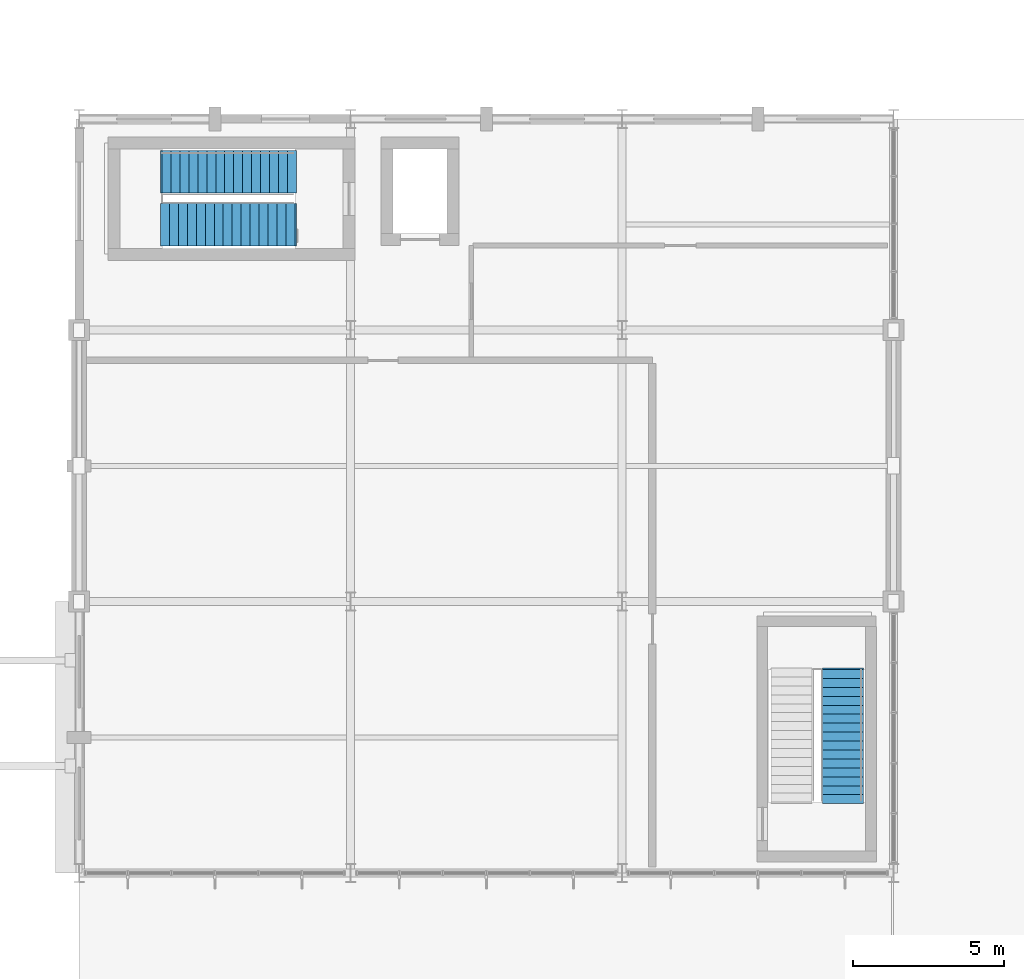
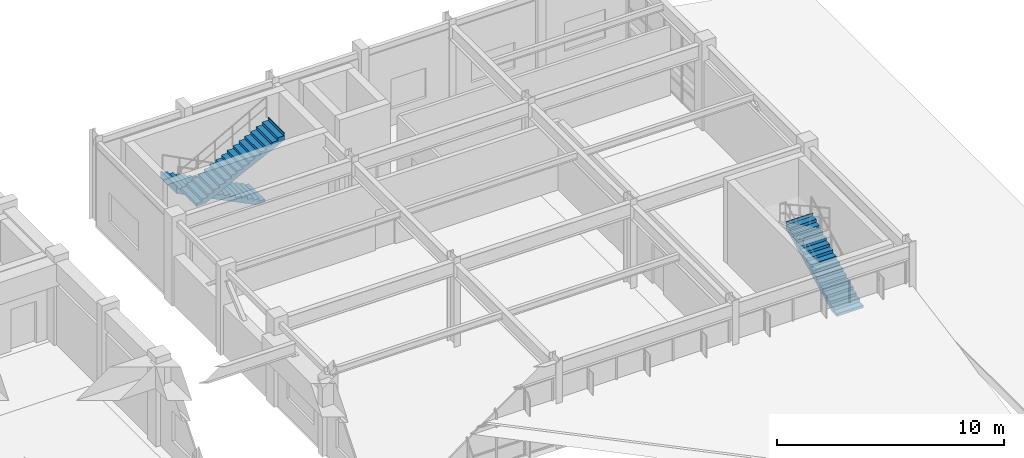
# One storey, part 88 of 104: 3 stair flights, 2 elements without a shape of their own.
"""IFC4 building model written with IfcOpenShell, lengths in metres."""

from ifc_helpers import new_model, si_unit, direction, frame, origin, place, context, subcontext, project, spatial, polyline, outline, extrude, material, type_object, element, aggregate, save


model = new_model("IFC4")

# Units and contexts
model_context = context("Model", 3, precision=1e-05, world=origin(), true_north=direction((0.0, 1.0)))
body_context = subcontext(model_context, "Body", "Model", "MODEL_VIEW")
ifc_project = project(units=[si_unit("LENGTHUNIT", "METRE"), si_unit("AREAUNIT", "SQUARE_METRE"), si_unit("VOLUMEUNIT", "CUBIC_METRE"), si_unit("PLANEANGLEUNIT", "RADIAN"), si_unit("MASSUNIT", "GRAM", prefix="KILO")], contexts=[model_context])

# Site, building, storey
site_placement = place(None, origin())
site = spatial("IfcSite", under=ifc_project, at=site_placement, CompositionType="ELEMENT")
building_placement = place(site_placement, origin())
building = spatial("IfcBuilding", under=site, at=building_placement, Name="Ventoquebrada Cableway Terminal", CompositionType="ELEMENT")
storey_placement = place(building_placement, frame((0.0, 0.0, 4.800048828125)))
storey = spatial("IfcBuildingStorey", under=building, at=storey_placement, Name="L01", CompositionType="ELEMENT", Elevation=4.800048828125)

# Stair, stair flights
ifc_material = material(Name="Concrete C40/50", Category="concrete")
stair_type_1 = type_object("IfcStairType", Name="ST-T09", PredefinedType="HALF_TURN_STAIR", material=ifc_material)
stair_1_placement = place(storey_placement, origin())
stair_1 = element("IfcStair", 1, at=stair_1_placement, inside=storey, type_object=stair_type_1, Name="Protected half-turn stair ST-30", PredefinedType="HALF_TURN_STAIR")
stair_flight_type_1 = type_object("IfcStairFlightType", Name="SF-T09", PredefinedType="STRAIGHT", material=ifc_material)
stair_flight_1_placement = place(storey_placement, frame((136.199951171875, 100.25, 0.0), z_axis=(0.0, 0.0, 1.0), x_axis=(-1.0, 0.0, 0.0)))
stair_flight_1 = element("IfcStairFlight", 2, at=stair_flight_1_placement, type_object=stair_flight_type_1, Name="Lower stair flight SF-059", NumberOfRisers=16, NumberOfTreads=15, PredefinedType="STRAIGHT", RiserHeight=0.15, TreadLength=0.3, context=body_context, shape_type="SweptSolid", body=[
    extrude(outline(polyline([(0.0, 0.0), (0.0, 0.14990234375), (0.296630859375, 0.14990234375), (0.296630859375, 0.300048828125), (0.59326171875, 0.300048828125), (0.59326171875, 0.449951171875), (0.889892578125, 0.449951171875), (0.889892578125, 0.60009765625), (1.186767578125, 0.60009765625), (1.186767578125, 0.75), (1.4833984375, 0.75), (1.4833984375, 0.89990234375), (1.780029296875, 0.89990234375), (1.780029296875, 1.050048828125), (2.07666015625, 1.050048828125), (2.07666015625, 1.199951171875), (2.373291015625, 1.199951171875), (2.373291015625, 1.35009765625), (2.669921875, 1.35009765625), (2.669921875, 1.5), (2.966552734375, 1.5), (2.966552734375, 1.64990234375), (3.263427734375, 1.64990234375), (3.263427734375, 1.800048828125), (3.56005859375, 1.800048828125), (3.56005859375, 1.949951171875), (3.856689453125, 1.949951171875), (3.856689453125, 2.10009765625), (4.1533203125, 2.10009765625), (4.1533203125, 2.25), (4.449951171875, 2.25), (4.449951171875, 2.39990234375), (4.5, 2.39990234375), (4.5, 2.0263671875), (0.447021484375, 0.0), (0.0, 0.0)])), frame((0.0, 0.699951171875, 0.0), z_axis=(0.0, -1.0, 0.0), x_axis=(1.0, 0.0, 0.0)), (0.0, 0.0, 1.0), 1.39990234375),
])
stair_flight_2_placement = place(storey_placement, frame((131.699951171875, 98.489990234375, 2.39990234375), z_axis=(0.0, 0.0, 1.0), x_axis=(1.0, 0.0, 0.0)))
stair_flight_2 = element("IfcStairFlight", 3, at=stair_flight_2_placement, type_object=stair_flight_type_1, Name="Upper stair flight SF-060", NumberOfRisers=16, NumberOfTreads=15, PredefinedType="STRAIGHT", RiserHeight=0.15, TreadLength=0.3, context=body_context, shape_type="SweptSolid", body=[
    extrude(outline(polyline([(0.0, 0.0), (0.0, 0.14990234375), (0.296630859375, 0.14990234375), (0.296630859375, 0.300048828125), (0.59326171875, 0.300048828125), (0.59326171875, 0.449951171875), (0.889892578125, 0.449951171875), (0.889892578125, 0.60009765625), (1.186767578125, 0.60009765625), (1.186767578125, 0.75), (1.4833984375, 0.75), (1.4833984375, 0.89990234375), (1.780029296875, 0.89990234375), (1.780029296875, 1.050048828125), (2.07666015625, 1.050048828125), (2.07666015625, 1.199951171875), (2.373291015625, 1.199951171875), (2.373291015625, 1.35009765625), (2.669921875, 1.35009765625), (2.669921875, 1.5), (2.966552734375, 1.5), (2.966552734375, 1.64990234375), (3.263427734375, 1.64990234375), (3.263427734375, 1.800048828125), (3.56005859375, 1.800048828125), (3.56005859375, 1.949951171875), (3.856689453125, 1.949951171875), (3.856689453125, 2.10009765625), (4.1533203125, 2.10009765625), (4.1533203125, 2.25), (4.449951171875, 2.25), (4.449951171875, 2.39990234375), (4.5, 2.39990234375), (4.5, 2.0263671875), (0.447021484375, 0.0), (0.0, 0.0)])), frame((0.0, 0.699951171875, 0.0), z_axis=(0.0, -1.0, 0.0), x_axis=(1.0, 0.0, 0.0)), (0.0, 0.0, 1.0), 1.39990234375),
])
aggregate(stair_1, [stair_flight_1, stair_flight_2])

# Stair, stair flight
stair_type_2 = type_object("IfcStairType", Name="ST-T10", PredefinedType="HALF_TURN_STAIR", material=ifc_material)
stair_2_placement = place(storey_placement, origin())
stair_2 = element("IfcStair", 4, at=stair_2_placement, inside=storey, type_object=stair_type_2, Name="Protected half-turn stair ST-31", PredefinedType="HALF_TURN_STAIR")
stair_flight_type_2 = type_object("IfcStairFlightType", Name="SF-T10", PredefinedType="STRAIGHT", material=ifc_material)
stair_flight_3_placement = place(storey_placement, frame((154.324951171875, 79.300048828125, 0.0), z_axis=(0.0, 0.0, 1.0), x_axis=(0.0, 1.0, 0.0)))
stair_flight_3 = element("IfcStairFlight", 5, at=stair_flight_3_placement, type_object=stair_flight_type_2, Name="Lower stair flight SF-061", NumberOfRisers=16, NumberOfTreads=15, PredefinedType="STRAIGHT", RiserHeight=0.15, TreadLength=0.3, context=body_context, shape_type="SweptSolid", body=[
    extrude(outline(polyline([(0.0, 0.0), (0.0, 0.14990234375), (0.296630859375, 0.14990234375), (0.296630859375, 0.300048828125), (0.59326171875, 0.300048828125), (0.59326171875, 0.449951171875), (0.889892578125, 0.449951171875), (0.889892578125, 0.60009765625), (1.186767578125, 0.60009765625), (1.186767578125, 0.75), (1.4833984375, 0.75), (1.4833984375, 0.89990234375), (1.780029296875, 0.89990234375), (1.780029296875, 1.050048828125), (2.07666015625, 1.050048828125), (2.07666015625, 1.199951171875), (2.373291015625, 1.199951171875), (2.373291015625, 1.35009765625), (2.669921875, 1.35009765625), (2.669921875, 1.5), (2.966552734375, 1.5), (2.966552734375, 1.64990234375), (3.263427734375, 1.64990234375), (3.263427734375, 1.800048828125), (3.56005859375, 1.800048828125), (3.56005859375, 1.949951171875), (3.856689453125, 1.949951171875), (3.856689453125, 2.10009765625), (4.1533203125, 2.10009765625), (4.1533203125, 2.25), (4.449951171875, 2.25), (4.449951171875, 2.39990234375), (4.5, 2.39990234375), (4.5, 2.0263671875), (0.447021484375, 0.0), (0.0, 0.0)])), frame((0.0, 0.675048828125, 0.0), z_axis=(0.0, -1.0, 0.0), x_axis=(1.0, 0.0, 0.0)), (0.0, 0.0, 1.0), 1.35009765625),
])
aggregate(stair_2, [stair_flight_3])

save(model, "model.ifc")
